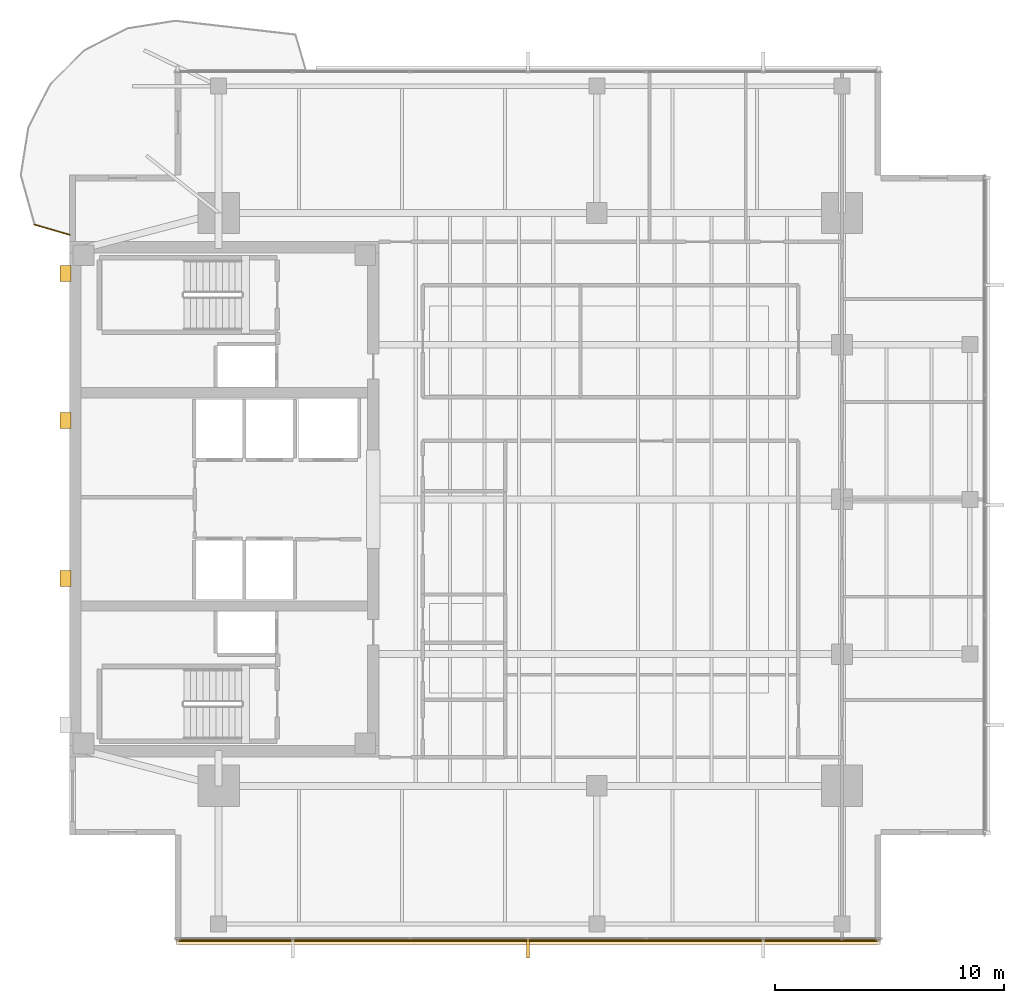
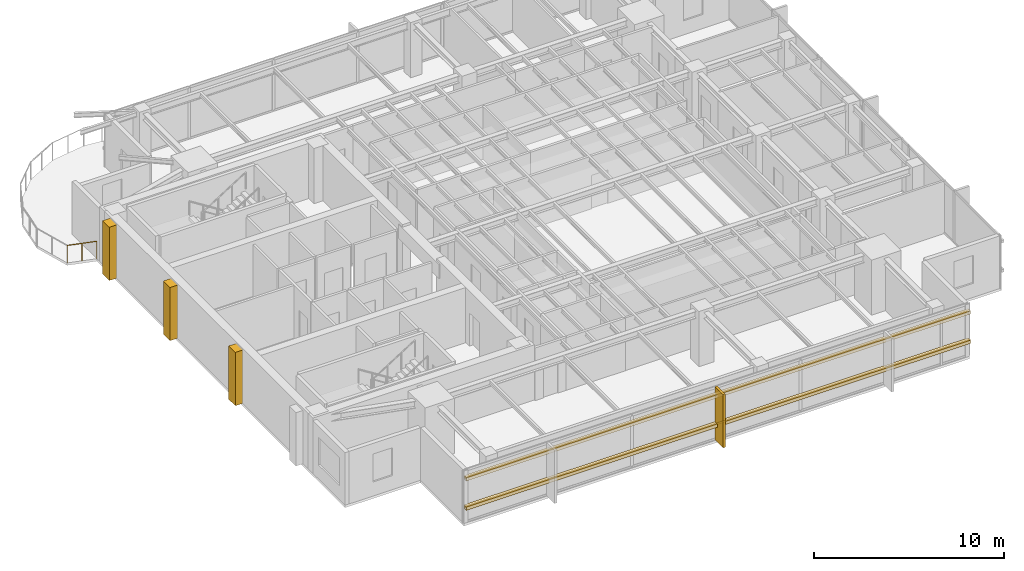
# One storey, part 12 of 14: 6 coverings, 2 shading devices, 1 railing.
"""IFC4 building model written with IfcOpenShell, lengths in metres."""

from ifc_helpers import new_model, si_unit, direction, frame, origin, origin_2d, place, context, subcontext, project, spatial, polyline, rectangle, circle, outline, extrude, material, layer, layer_set, material_profile, profile_set, type_object, element, save


model = new_model("IFC4")

# Units and contexts
model_context = context("Model", 3, precision=1e-05, world=origin(), true_north=direction((0.0, 1.0)))
body_context = subcontext(model_context, "Body", "Model", "MODEL_VIEW")
ifc_project = project(units=[si_unit("LENGTHUNIT", "METRE"), si_unit("AREAUNIT", "SQUARE_METRE"), si_unit("VOLUMEUNIT", "CUBIC_METRE"), si_unit("PLANEANGLEUNIT", "RADIAN"), si_unit("MASSUNIT", "GRAM", prefix="KILO")], contexts=[model_context])

# Site, building, storey
site_placement = place(None, origin())
site = spatial("IfcSite", under=ifc_project, at=site_placement, CompositionType="ELEMENT")
building_placement = place(site_placement, origin())
building = spatial("IfcBuilding", under=site, at=building_placement, Name="Kinhvarn Gate Tower", CompositionType="ELEMENT")
storey_placement = place(building_placement, frame((0.0, 0.0, 284.75)))
storey = spatial("IfcBuildingStorey", under=building, at=storey_placement, Name="L76", CompositionType="ELEMENT", Elevation=284.75)

# Coverings
ifc_material_1 = material(Name="Fired architectural terracotta", Category="masonry")
ifc_layer_1 = layer(ifc_material_1, 0.239990234375)
ifc_layer_set_1 = layer_set([ifc_layer_1], Name="Fired architectural terracotta")
covering_type_1 = type_object("IfcCoveringType", Name="COV-BAG-220", PredefinedType="CLADDING", material=ifc_layer_set_1)
for number, where, name in (
    (1, (0.0, 0.0, 0.93994140625), "Terracotta Horizontal Sunscreen Band TBG-220 (L76)"),
    (2, (0.0, 0.0, 2.830078125), "Terracotta Horizontal Sunscreen Band TBG-220 (L76)"),
):
    element("IfcCovering", number, at=place(storey_placement, frame(where)), inside=storey, type_object=covering_type_1, Name=name, PredefinedType="CLADDING", context=body_context, shape_type="SweptSolid", body=[
        extrude(outline(polyline([(9.139892578125, 6.070068359375), (39.860107421875, 6.070068359375), (39.860107421875, 5.830078125), (9.139892578125, 5.830078125), (9.139892578125, 6.070068359375)])), origin(), (0.0, 0.0, 1.0), 0.219970703125),
    ])
ifc_layer_2 = layer(ifc_material_1, 0.139892578125)
ifc_layer_set_2 = layer_set([ifc_layer_2], Name="Fired architectural terracotta")
covering_type_2 = type_object("IfcCoveringType", Name="COV-FIN-850", PredefinedType="CLADDING", material=ifc_layer_set_2)
covering_1_placement = place(storey_placement, frame((0.0, 0.0, -0.02001953125)))
element("IfcCovering", 3, at=covering_1_placement, inside=storey, type_object=covering_type_2, Name="Vertical Terracotta Expressive Fin TFN-850 (L76)", PredefinedType="CLADDING", context=body_context, shape_type="SweptSolid", body=[
    extrude(outline(polyline([(24.429931640625, 6.080078125), (24.570068359375, 6.080078125), (24.570068359375, 5.22998046875), (24.429931640625, 5.22998046875), (24.429931640625, 6.080078125)])), origin(), (0.0, 0.0, 1.0), 3.429931640625),
])
ifc_material_2 = material(Name="Precast white architectural concrete C40/50", Category="concrete")
ifc_layer_3 = layer(ifc_material_2, 0.47998046875)
ifc_layer_set_3 = layer_set([ifc_layer_3], Name="Precast white architectural concrete C40/50")
covering_type_3 = type_object("IfcCoveringType", Name="COV-RIB-450", PredefinedType="CLADDING", material=ifc_layer_set_3)
covering_2_placement = place(storey_placement, frame((0.0, 0.0, -0.02001953125)))
element("IfcCovering", 4, at=covering_2_placement, inside=storey, type_object=covering_type_3, Name="West Core Sculptural Concrete Relief Rib CRB-450 (L76)", PredefinedType="CLADDING", context=body_context, shape_type="SweptSolid", body=[
    extrude(outline(polyline([(4.080078125, 21.449951171875), (4.56005859375, 21.449951171875), (4.56005859375, 22.14990234375), (4.080078125, 22.14990234375), (4.080078125, 21.449951171875)])), origin(), (0.0, 0.0, 1.0), 3.429931640625),
])
covering_3_placement = place(storey_placement, frame((0.0, 0.0, -0.02001953125)))
element("IfcCovering", 5, at=covering_3_placement, inside=storey, type_object=covering_type_3, Name="West Core Sculptural Concrete Relief Rib CRB-450 (L76)", PredefinedType="CLADDING", context=body_context, shape_type="SweptSolid", body=[
    extrude(outline(polyline([(4.080078125, 28.35009765625), (4.56005859375, 28.35009765625), (4.56005859375, 29.050048828125), (4.080078125, 29.050048828125), (4.080078125, 28.35009765625)])), origin(), (0.0, 0.0, 1.0), 3.429931640625),
])
covering_4_placement = place(storey_placement, frame((0.0, 0.0, -0.02001953125)))
element("IfcCovering", 6, at=covering_4_placement, inside=storey, type_object=covering_type_3, Name="West Core Sculptural Concrete Relief Rib CRB-450 (L76)", PredefinedType="CLADDING", context=body_context, shape_type="SweptSolid", body=[
    extrude(outline(polyline([(4.080078125, 34.75), (4.56005859375, 34.75), (4.56005859375, 35.449951171875), (4.080078125, 35.449951171875), (4.080078125, 34.75)])), origin(), (0.0, 0.0, 1.0), 3.429931640625),
])

# Railing
ifc_material_3 = material(Name="Clear low-e double glazing", Category="glass")
railing_type = type_object("IfcRailingType", Name="RL-BAL-1150", PredefinedType="BALUSTRADE", material=ifc_material_3)
railing_placement = place(storey_placement, frame((2.954833984375, 37.242919921875, 0.0)))
element("IfcRailing", 7, at=railing_placement, inside=storey, type_object=railing_type, Name="S-Carve Balcony Guardrail Seg 9 (L76)", PredefinedType="BALUSTRADE", context=body_context, shape_type="SweptSolid", body=[
    extrude(circle(Radius=0.02392578125, at=origin_2d()), frame((0.0, 0.0, 1.1259765625), z_axis=(0.960120544157, -0.27958637429, 0.0), x_axis=(0.27958637429, 0.960120544157, 0.0)), (0.0, 0.0, 1.0), 1.609375),
    extrude(circle(Radius=0.02099609375, at=origin_2d()), origin(), (0.0, 0.0, 1.0), 1.101806640625),
    extrude(circle(Radius=0.02099609375, at=origin_2d()), frame((0.7724609375, -0.22509765625, 0.0)), (0.0, 0.0, 1.0), 1.101806640625),
    extrude(circle(Radius=0.02099609375, at=origin_2d()), frame((1.545166015625, -0.449951171875, 0.0)), (0.0, 0.0, 1.0), 1.101806640625),
])

# Shading devices
ifc_material_profile = material_profile(ifc_material_1, rectangle(XDim=0.050048828125, YDim=0.1201171875, at=origin_2d()), Name="TC 50x120")
ifc_profile_set = profile_set([ifc_material_profile], Name="Fired architectural terracotta")
shading_device_type = type_object("IfcShadingDeviceType", Name="SHD-BAG-140", PredefinedType="USERDEFINED", material=ifc_profile_set)
for number, where, z_axis, x_axis, name in (
    (8, (9.139892578125, 6.0, 1.050048828125), (1.0, 0.0, 0.0), (0.0, 1.0, 0.0), "Upper Tower Terracotta Baguette Screen Rod 50x120 mm (L76)"),
    (9, (9.139892578125, 6.0, 2.93994140625), (1.0, 0.0, 0.0), (0.0, 1.0, 0.0), "Upper Tower Terracotta Baguette Screen Rod 50x120 mm (L76)"),
):
    element("IfcShadingDevice", number, at=place(storey_placement, frame(where, z_axis=z_axis, x_axis=x_axis)), inside=storey, type_object=shading_device_type, Name=name, ObjectType="BAGUETTE", PredefinedType="USERDEFINED", context=body_context, shape_type="SweptSolid", body=[
        extrude(rectangle(XDim=0.050048828125, YDim=0.1201171875, at=origin_2d()), origin(), (0.0, 0.0, 1.0), 30.72021484375),
    ])

save(model, "model.ifc")
